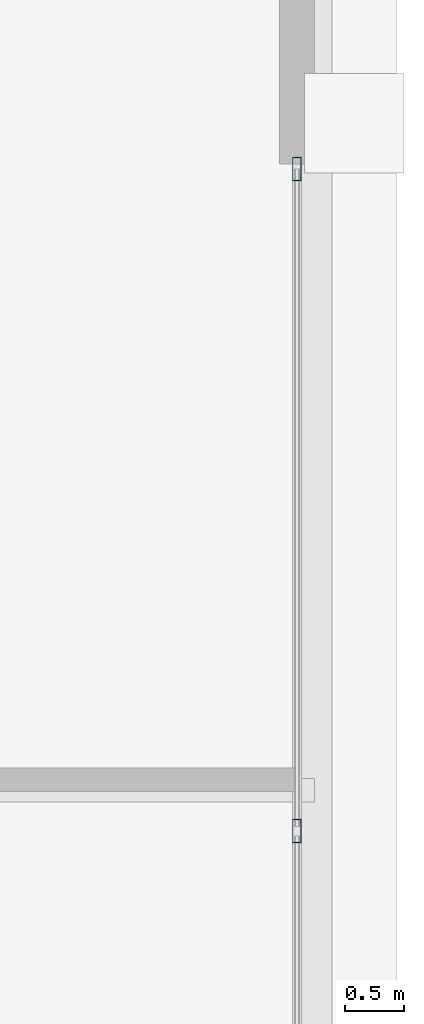
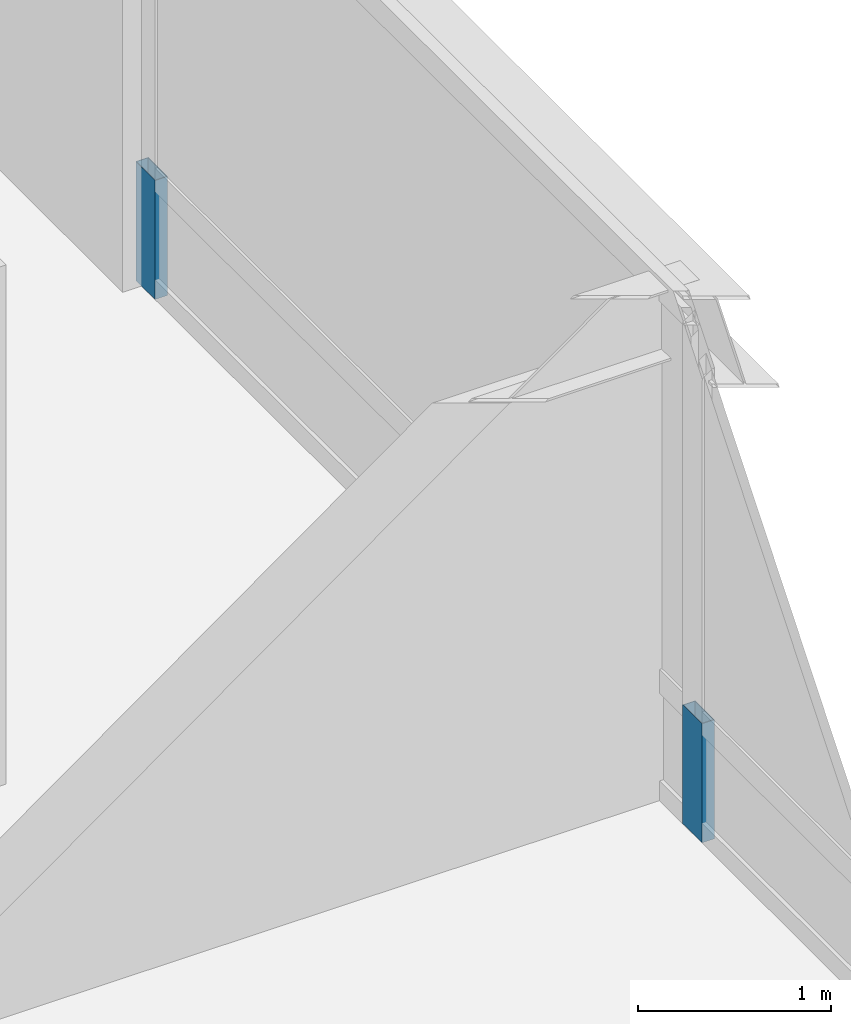
# One storey, part 26 of 35: 2 members, 1 element without a shape of its own.
"""IFC4 building model written with IfcOpenShell, lengths in metres."""

from ifc_helpers import new_model, si_unit, direction, frame, origin, origin_2d, place, context, subcontext, project, spatial, hollow_rectangle, extrude, source, transform, mapped, material, layer, layer_set, material_profile, profile_set, type_object, element, aggregate, save


model = new_model("IFC4")

# Units and contexts
model_context = context("Model", 3, precision=1e-05, world=origin(), true_north=direction((0.0, 1.0)))
body_context = subcontext(model_context, "Body", "Model", "MODEL_VIEW")
ifc_project = project(units=[si_unit("LENGTHUNIT", "METRE"), si_unit("AREAUNIT", "SQUARE_METRE"), si_unit("VOLUMEUNIT", "CUBIC_METRE"), si_unit("PLANEANGLEUNIT", "RADIAN"), si_unit("MASSUNIT", "GRAM", prefix="KILO"), si_unit("THERMODYNAMICTEMPERATUREUNIT", "KELVIN"), si_unit("POWERUNIT", "WATT")], contexts=[model_context])

# Site, building, storey
site_placement = place(None, origin())
site = spatial("IfcSite", under=ifc_project, at=site_placement, CompositionType="ELEMENT")
building_placement = place(site_placement, origin())
building = spatial("IfcBuilding", under=site, at=building_placement, Name="Yuzanri Waterfront Tower", CompositionType="ELEMENT")
storey_placement = place(building_placement, frame((0.0, 0.0, 296.10009765625)))
storey = spatial("IfcBuildingStorey", under=building, at=storey_placement, Name="L79", CompositionType="ELEMENT", Elevation=296.10009765625)

# Curtain wall, members
ifc_material_1 = material(Name="Anodized Architectural Bronze", Category="metal")
ifc_layer = layer(ifc_material_1, 0.159912109375)
ifc_layer_set = layer_set([ifc_layer], Name="Anodized Architectural Bronze")
curtain_wall_type = type_object("IfcCurtainWallType", Name="Anodized Bronze High-Rise Penthouse High-Wind Unitized Curtain Wall 6900", PredefinedType="NOTDEFINED", material=ifc_layer_set)
curtain_wall_placement = place(storey_placement, origin())
curtain_wall = element("IfcCurtainWall", 1, at=curtain_wall_placement, inside=storey, type_object=curtain_wall_type, Name="L79 Curtain Wall CW-L79-ER", PredefinedType="NOTDEFINED")
ifc_material_2 = material(Name="Anodized Architectural Bronze", Category="metal")
ifc_material_profile = material_profile(ifc_material_2, hollow_rectangle(XDim=0.074951171875, YDim=0.199951171875, WallThickness=0.00390625, at=origin_2d()), Name="CWM 75x200")
ifc_profile_set = profile_set([ifc_material_profile], Name="Anodized Architectural Bronze")
member_type = type_object("IfcMemberType", Name="Anodized Bronze Primary Curtain-Wall Mullion 75x200", PredefinedType="MULLION", material=ifc_profile_set)
shared_shape = source(origin(), body_context, "Body", "SweptSolid", [
    extrude(hollow_rectangle(XDim=0.074951171875, YDim=0.199951171875, WallThickness=0.00390625, at=origin_2d()), origin(), (0.0, 0.0, 1.0), 0.751953125),
])
member_1_placement = place(storey_placement, frame((55.949951171875, 31.85009765625, 0.0), z_axis=(0.0, 0.0, 1.0), x_axis=(1.0, 0.0, 0.0)))
member_1 = element("IfcMember", 2, at=member_1_placement, type_object=member_type, Name="CW-L79-ER Lower Mullion 01", PredefinedType="MULLION", context=body_context, shape_type="MappedRepresentation", body=[
    mapped(shared_shape, transform((0.0, 0.0, 0.0), scale=1.0)),
])
member_2_placement = place(storey_placement, frame((55.949951171875, 37.510009765625, 0.0), z_axis=(0.0, 0.0, 1.0), x_axis=(1.0, 0.0, 0.0)))
member_2 = element("IfcMember", 3, at=member_2_placement, type_object=member_type, Name="CW-L79-ER Lower Mullion 02", PredefinedType="MULLION", context=body_context, shape_type="MappedRepresentation", body=[
    mapped(shared_shape, transform((0.0, 0.0, 0.0), scale=1.0)),
])
aggregate(curtain_wall, [member_1, member_2])

save(model, "model.ifc")
